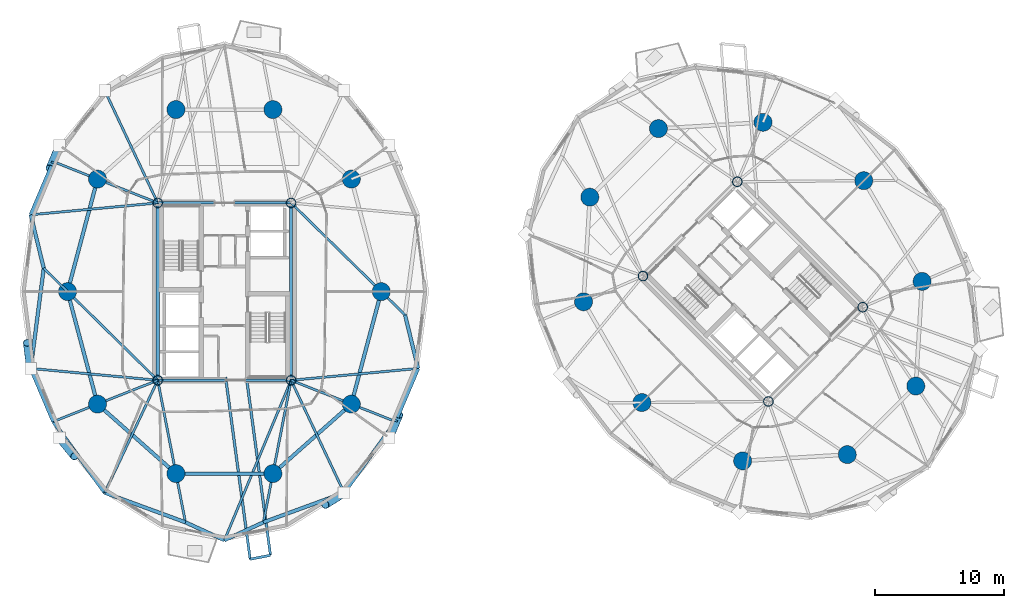
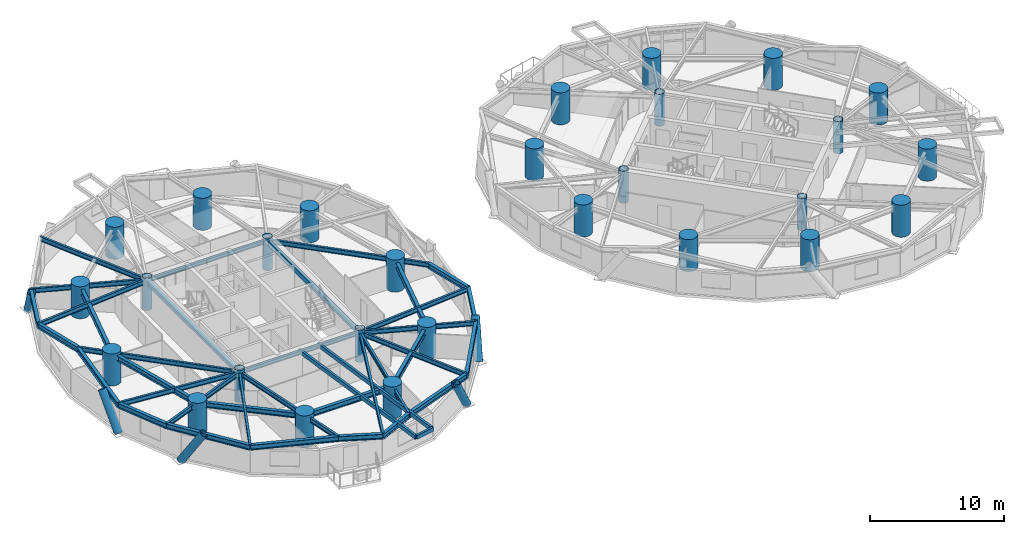
# One storey, part 1 of 18: 40 beams, 28 columns, 5 members.
"""IFC4 building model written with IfcOpenShell, lengths in metres."""

from ifc_helpers import new_model, si_unit, direction, frame, origin, origin_2d, place, context, subcontext, project, spatial, hollow_rectangle, circle, hollow_circle, i_section, extrude, material, material_profile, profile_set, type_object, element, save


model = new_model("IFC4")

# Units and contexts
model_context = context("Model", 3, precision=1e-05, world=origin(), true_north=direction((0.0, 1.0)))
body_context = subcontext(model_context, "Body", "Model", "MODEL_VIEW")
ifc_project = project(units=[si_unit("LENGTHUNIT", "METRE"), si_unit("AREAUNIT", "SQUARE_METRE"), si_unit("VOLUMEUNIT", "CUBIC_METRE"), si_unit("PLANEANGLEUNIT", "RADIAN"), si_unit("MASSUNIT", "GRAM", prefix="KILO")], contexts=[model_context])

# Site, building, storey
site_placement = place(None, origin())
site = spatial("IfcSite", under=ifc_project, at=site_placement, CompositionType="ELEMENT")
building_placement = place(site_placement, origin())
building = spatial("IfcBuilding", under=site, at=building_placement, Name="Cununo Teusaquillo Station Towers", CompositionType="ELEMENT")
storey_placement = place(building_placement, frame((0.0, 0.0, 102.159912109375)))
storey = spatial("IfcBuildingStorey", under=building, at=storey_placement, Name="L32", CompositionType="ELEMENT", Elevation=102.159912109375)

# Columns
ifc_material_1 = material(Name="Steel EN 10025-2 S355J2", Category="steel")
ifc_material_profile_1 = material_profile(ifc_material_1, hollow_circle(Radius=0.3798828125, WallThickness=0.031982421875, at=origin_2d()), Name="CHS 760x32")
ifc_profile_set_1 = profile_set([ifc_material_profile_1], Name="Steel EN 10025-2 S355J2")
column_type_1 = type_object("IfcColumnType", Name="COL-CORE-Z2", PredefinedType="COLUMN", material=ifc_profile_set_1)
for number, where, z_axis, x_axis, name in (
    (1, (11.324951171875, 17.6201171875, 0.0), (0.0, 0.0, 1.0), (1.0, 0.0, 0.0), "L32 Tower A Core Column 1"),
    (2, (11.324951171875, 31.3798828125, 0.0), (0.0, 0.0, 1.0), (1.0, 0.0, 0.0), "L32 Tower A Core Column 2"),
    (3, (21.675048828125, 17.6201171875, 0.0), (0.0, 0.0, 1.0), (1.0, 0.0, 0.0), "L32 Tower A Core Column 3"),
    (4, (21.675048828125, 31.3798828125, 0.0), (0.0, 0.0, 1.0), (1.0, 0.0, 0.0), "L32 Tower A Core Column 4"),
    (5, (58.70556640625, 15.975830078125, 0.0), (0.0, 0.0, 1.0), (0.707106781187, 0.707106781187, 0.0), "L32 Tower B Core Column 1"),
    (6, (48.975830078125, 25.70556640625, 0.0), (0.0, 0.0, 1.0), (0.707106781187, 0.707106781187, 0.0), "L32 Tower B Core Column 2"),
    (7, (66.024169921875, 23.29443359375, 0.0), (0.0, 0.0, 1.0), (0.707106781187, 0.707106781187, 0.0), "L32 Tower B Core Column 3"),
    (8, (56.29443359375, 33.024169921875, 0.0), (0.0, 0.0, 1.0), (0.707106781187, 0.707106781187, 0.0), "L32 Tower B Core Column 4"),
):
    element("IfcColumn", number, at=place(storey_placement, frame(where, z_axis=z_axis, x_axis=x_axis)), inside=storey, type_object=column_type_1, Name=name, PredefinedType="COLUMN", context=body_context, shape_type="SweptSolid", body=[
        extrude(hollow_circle(Radius=0.3798828125, WallThickness=0.031982421875, at=origin_2d()), origin(), (0.0, 0.0, 1.0), 2.91015625),
    ])
ifc_material_2 = material(Name="Concrete C60/75", Category="concrete")
ifc_material_profile_2 = material_profile(ifc_material_2, circle(Radius=0.699951171875, at=origin_2d()), Name="RC-CIRC-1400")
ifc_profile_set_2 = profile_set([ifc_material_profile_2], Name="Concrete C60/75")
column_type_2 = type_object("IfcColumnType", Name="COL-MEGA-Z2", PredefinedType="USERDEFINED", material=ifc_profile_set_2)
for number, where, z_axis, x_axis, name in (
    (9, (28.672119140625, 24.5, 0.0), (0.0, 0.0, 1.0), (1.0, 0.0, 0.0), "L32 Tower A Perimeter Column V00"),
    (10, (26.347412109375, 33.228515625, 0.0), (0.0, 0.0, 1.0), (1.0, 0.0, 0.0), "L32 Tower A Perimeter Column V02"),
    (11, (20.261474609375, 38.623291015625, 0.0), (0.0, 0.0, 1.0), (1.0, 0.0, 0.0), "L32 Tower A Perimeter Column V04"),
    (12, (12.738525390625, 38.623291015625, 0.0), (0.0, 0.0, 1.0), (1.0, 0.0, 0.0), "L32 Tower A Perimeter Column V06"),
    (13, (6.652587890625, 33.228515625, 0.0), (0.0, 0.0, 1.0), (1.0, 0.0, 0.0), "L32 Tower A Perimeter Column V08"),
    (14, (4.327880859375, 24.5, 0.0), (0.0, 0.0, 1.0), (1.0, 0.0, 0.0), "L32 Tower A Perimeter Column V10"),
    (15, (6.652587890625, 15.771484375, 0.0), (0.0, 0.0, 1.0), (1.0, 0.0, 0.0), "L32 Tower A Perimeter Column V12"),
    (16, (12.738525390625, 10.376708984375, 0.0), (0.0, 0.0, 1.0), (1.0, 0.0, 0.0), "L32 Tower A Perimeter Column V14"),
    (17, (20.261474609375, 10.376708984375, 0.0), (0.0, 0.0, 1.0), (1.0, 0.0, 0.0), "L32 Tower A Perimeter Column V16"),
    (18, (26.347412109375, 15.771484375, 0.0), (0.0, 0.0, 1.0), (1.0, 0.0, 0.0), "L32 Tower A Perimeter Column V18"),
    (19, (66.10693359375, 33.10693359375, 0.0), (0.0, 0.0, 1.0), (1.0, 0.0, 0.0), "L32 Tower B Perimeter Column V00"),
    (20, (58.291015625, 37.63525390625, 0.0), (0.0, 0.0, 1.0), (1.0, 0.0, 0.0), "L32 Tower B Perimeter Column V02"),
    (21, (50.173095703125, 37.146240234375, 0.0), (0.0, 0.0, 1.0), (1.0, 0.0, 0.0), "L32 Tower B Perimeter Column V04"),
    (22, (44.853759765625, 31.826904296875, 0.0), (0.0, 0.0, 1.0), (1.0, 0.0, 0.0), "L32 Tower B Perimeter Column V06"),
    (23, (44.36474609375, 23.708984375, 0.0), (0.0, 0.0, 1.0), (1.0, 0.0, 0.0), "L32 Tower B Perimeter Column V08"),
    (24, (48.89306640625, 15.89306640625, 0.0), (0.0, 0.0, 1.0), (1.0, 0.0, 0.0), "L32 Tower B Perimeter Column V10"),
    (25, (56.708984375, 11.36474609375, 0.0), (0.0, 0.0, 1.0), (1.0, 0.0, 0.0), "L32 Tower B Perimeter Column V12"),
    (26, (64.826904296875, 11.853759765625, 0.0), (0.0, 0.0, 1.0), (1.0, 0.0, 0.0), "L32 Tower B Perimeter Column V14"),
    (27, (70.146240234375, 17.173095703125, 0.0), (0.0, 0.0, 1.0), (1.0, 0.0, 0.0), "L32 Tower B Perimeter Column V16"),
    (28, (70.63525390625, 25.291015625, 0.0), (0.0, 0.0, 1.0), (1.0, 0.0, 0.0), "L32 Tower B Perimeter Column V18"),
):
    element("IfcColumn", number, at=place(storey_placement, frame(where, z_axis=z_axis, x_axis=x_axis)), inside=storey, type_object=column_type_2, Name=name, ObjectType="MEGA COLUMN", PredefinedType="USERDEFINED", context=body_context, shape_type="SweptSolid", body=[
        extrude(circle(Radius=0.699951171875, at=origin_2d()), origin(), (0.0, 0.0, 1.0), 2.91015625),
    ])

# Beams
ifc_material_3 = material(Name="Steel EN 10025-2 S355J2", Category="steel")
ifc_material_profile_3 = material_profile(ifc_material_3, hollow_rectangle(XDim=0.199951171875, YDim=0.35009765625, WallThickness=0.013916015625, at=origin_2d()), Name="RHS 350x200x14")
ifc_profile_set_3 = profile_set([ifc_material_profile_3], Name="Steel EN 10025-2 S355J2")
beam_type_1 = type_object("IfcBeamType", Name="BM-BAL-CANT", PredefinedType="BEAM", material=ifc_profile_set_3)
beam_1_placement = place(storey_placement, frame((16.59130859375, 17.85009765625, 2.4951171875), z_axis=(0.133936551357, -0.990989909237, 0.0), x_axis=(0.990989909237, 0.133936551357, 0.0)))
element("IfcBeam", 29, at=beam_1_placement, inside=storey, type_object=beam_type_1, Name="L32 Tower A Balcony Cantilever Bracket 2A", PredefinedType="BEAM", context=body_context, shape_type="SweptSolid", body=[
    extrude(hollow_rectangle(XDim=0.199951171875, YDim=0.35009765625, WallThickness=0.013916015625, at=origin_2d()), origin(), (0.0, 0.0, 1.0), 14.24169921875),
])
beam_2_placement = place(storey_placement, frame((18.206298828125, 17.85009765625, 2.4951171875), z_axis=(0.133960678738, -0.990986648019, 0.0), x_axis=(0.990986648019, 0.133960678738, 0.0)))
element("IfcBeam", 30, at=beam_2_placement, inside=storey, type_object=beam_type_1, Name="L32 Tower A Balcony Cantilever Bracket 2B", PredefinedType="BEAM", context=body_context, shape_type="SweptSolid", body=[
    extrude(hollow_rectangle(XDim=0.199951171875, YDim=0.35009765625, WallThickness=0.013916015625, at=origin_2d()), origin(), (0.0, 0.0, 1.0), 13.9345703125),
])
ifc_material_4 = material(Name="Steel EN 10025-2 S355J2", Category="steel")
ifc_material_profile_4 = material_profile(ifc_material_4, hollow_rectangle(XDim=0.25, YDim=0.449951171875, WallThickness=0.01611328125, at=origin_2d()), Name="RHS 450x250x16")
ifc_profile_set_4 = profile_set([ifc_material_profile_4], Name="Steel EN 10025-2 S355J2")
beam_type_2 = type_object("IfcBeamType", Name="BM-COUP-1", PredefinedType="USERDEFINED", material=ifc_profile_set_4)
for number, where, z_axis, x_axis, name in (
    (31, (11.324951171875, 17.6201171875, 2.445068359375), (0.0, 1.0, 0.0), (-1.0, 0.0, 0.0), "L32 Tower A Core Beam 1"),
    (32, (21.675048828125, 17.6201171875, 2.445068359375), (0.0, 1.0, 0.0), (-1.0, 0.0, 0.0), "L32 Tower A Core Beam 2"),
):
    element("IfcBeam", number, at=place(storey_placement, frame(where, z_axis=z_axis, x_axis=x_axis)), inside=storey, type_object=beam_type_2, Name=name, ObjectType="COUPLING BEAM", PredefinedType="USERDEFINED", context=body_context, shape_type="SweptSolid", body=[
        extrude(hollow_rectangle(XDim=0.25, YDim=0.449951171875, WallThickness=0.01611328125, at=origin_2d()), origin(), (0.0, 0.0, 1.0), 13.759765625),
    ])
ifc_material_5 = material(Name="Steel ASTM A572 Grade 50", Category="steel")
ifc_material_profile_5 = material_profile(ifc_material_5, i_section(OverallWidth=0.180908203125, OverallDepth=0.4169921875, WebThickness=0.010986328125, FlangeThickness=0.018310546875, FilletRadius=0.012939453125, at=origin_2d()), Name="W16X57")
ifc_profile_set_5 = profile_set([ifc_material_profile_5], Name="Steel ASTM A572 Grade 50")
beam_type_3 = type_object("IfcBeamType", Name="BM-JOIST-1", PredefinedType="JOIST", material=ifc_profile_set_5)
beam_3_placement = place(storey_placement, frame((11.324951171875, 31.3798828125, 2.461669921875), z_axis=(-0.426319838016, 0.904572493344, 0.0), x_axis=(-0.904572493344, -0.426319838016, 0.0)))
element("IfcBeam", 33, at=beam_3_placement, inside=storey, type_object=beam_type_3, Name="L32 Tower A Radial Spandrel Joist V07", PredefinedType="JOIST", context=body_context, shape_type="SweptSolid", body=[
    extrude(i_section(OverallWidth=0.180908203125, OverallDepth=0.4169921875, WebThickness=0.010986328125, FlangeThickness=0.018310546875, FilletRadius=0.012939453125, at=origin_2d()), origin(), (0.0, 0.0, 1.0), 9.646728515625),
])
for number, where, z_axis, x_axis, name in (
    (34, (11.324951171875, 31.3798828125, 2.461669921875), (-0.995678537907, -0.09286683558, 0.0), (0.09286683558, -0.995678537907, 0.0), "L32 Tower A Radial Spandrel Joist V09"),
    (35, (11.324951171875, 17.6201171875, 2.461669921875), (-0.995678537907, 0.09286683558, 0.0), (-0.09286683558, -0.995678537907, 0.0), "L32 Tower A Radial Spandrel Joist V11"),
):
    element("IfcBeam", number, at=place(storey_placement, frame(where, z_axis=z_axis, x_axis=x_axis)), inside=storey, type_object=beam_type_3, Name=name, PredefinedType="JOIST", context=body_context, shape_type="SweptSolid", body=[
        extrude(i_section(OverallWidth=0.180908203125, OverallDepth=0.4169921875, WebThickness=0.010986328125, FlangeThickness=0.018310546875, FilletRadius=0.012939453125, at=origin_2d()), origin(), (0.0, 0.0, 1.0), 9.895263671875),
    ])
beam_4_placement = place(storey_placement, frame((11.324951171875, 17.6201171875, 2.461669921875), z_axis=(-0.426319838016, -0.904572493344, 0.0), x_axis=(0.904572493344, -0.426319838016, 0.0)))
element("IfcBeam", 36, at=beam_4_placement, inside=storey, type_object=beam_type_3, Name="L32 Tower A Radial Spandrel Joist V13", PredefinedType="JOIST", context=body_context, shape_type="SweptSolid", body=[
    extrude(i_section(OverallWidth=0.180908203125, OverallDepth=0.4169921875, WebThickness=0.010986328125, FlangeThickness=0.018310546875, FilletRadius=0.012939453125, at=origin_2d()), origin(), (0.0, 0.0, 1.0), 9.646728515625),
])
beam_5_placement = place(storey_placement, frame((21.675048828125, 17.6201171875, 2.461669921875), z_axis=(-0.38487837995, -0.922967297713, 0.0), x_axis=(0.922967297713, -0.38487837995, 0.0)))
element("IfcBeam", 37, at=beam_5_placement, inside=storey, type_object=beam_type_3, Name="L32 Tower A Radial Spandrel Joist V15", PredefinedType="JOIST", context=body_context, shape_type="SweptSolid", body=[
    extrude(i_section(OverallWidth=0.180908203125, OverallDepth=0.4169921875, WebThickness=0.010986328125, FlangeThickness=0.018310546875, FilletRadius=0.012939453125, at=origin_2d()), origin(), (0.0, 0.0, 1.0), 13.446044921875),
])
beam_6_placement = place(storey_placement, frame((21.675048828125, 17.6201171875, 2.461669921875), z_axis=(0.426319838016, -0.904572493344, 0.0), x_axis=(0.904572493344, 0.426319838016, 0.0)))
element("IfcBeam", 38, at=beam_6_placement, inside=storey, type_object=beam_type_3, Name="L32 Tower A Radial Spandrel Joist V17", PredefinedType="JOIST", context=body_context, shape_type="SweptSolid", body=[
    extrude(i_section(OverallWidth=0.180908203125, OverallDepth=0.4169921875, WebThickness=0.010986328125, FlangeThickness=0.018310546875, FilletRadius=0.012939453125, at=origin_2d()), origin(), (0.0, 0.0, 1.0), 9.646728515625),
])
beam_7_placement = place(storey_placement, frame((21.675048828125, 17.6201171875, 2.461669921875), z_axis=(0.995678537907, 0.09286683558, 0.0), x_axis=(-0.09286683558, 0.995678537907, 0.0)))
element("IfcBeam", 39, at=beam_7_placement, inside=storey, type_object=beam_type_3, Name="L32 Tower A Radial Spandrel Joist V19", PredefinedType="JOIST", context=body_context, shape_type="SweptSolid", body=[
    extrude(i_section(OverallWidth=0.180908203125, OverallDepth=0.4169921875, WebThickness=0.010986328125, FlangeThickness=0.018310546875, FilletRadius=0.012939453125, at=origin_2d()), origin(), (0.0, 0.0, 1.0), 9.895263671875),
])
ifc_material_6 = material(Name="Steel ASTM A572 Grade 50", Category="steel")
ifc_material_profile_6 = material_profile(ifc_material_6, i_section(OverallWidth=0.2041015625, OverallDepth=0.35009765625, WebThickness=0.008544921875, FlangeThickness=0.01513671875, FilletRadius=0.011962890625, at=origin_2d()), Name="W14X48")
ifc_profile_set_6 = profile_set([ifc_material_profile_6], Name="Steel ASTM A572 Grade 50")
beam_type_4 = type_object("IfcBeamType", Name="BM-LINTEL-1", PredefinedType="LINTEL", material=ifc_profile_set_6)
for number, where, z_axis, x_axis, name in (
    (40, (11.324951171875, 17.6201171875, 2.4951171875), (1.0, 0.0, 0.0), (0.0, 1.0, 0.0), "L32 Tower A Core Beam 3"),
    (41, (11.324951171875, 31.3798828125, 2.4951171875), (1.0, 0.0, 0.0), (0.0, 1.0, 0.0), "L32 Tower A Core Beam 4"),
):
    element("IfcBeam", number, at=place(storey_placement, frame(where, z_axis=z_axis, x_axis=x_axis)), inside=storey, type_object=beam_type_4, Name=name, PredefinedType="LINTEL", context=body_context, shape_type="SweptSolid", body=[
        extrude(i_section(OverallWidth=0.2041015625, OverallDepth=0.35009765625, WebThickness=0.008544921875, FlangeThickness=0.01513671875, FilletRadius=0.011962890625, at=origin_2d()), origin(), (0.0, 0.0, 1.0), 10.35009765625),
    ])
ifc_material_7 = material(Name="Steel ASTM A572 Grade 50", Category="steel")
ifc_material_profile_7 = material_profile(ifc_material_7, i_section(OverallWidth=0.180908203125, OverallDepth=0.4169921875, WebThickness=0.010986328125, FlangeThickness=0.018310546875, FilletRadius=0.012939453125, at=origin_2d()), Name="W16X57")
ifc_profile_set_7 = profile_set([ifc_material_profile_7], Name="Steel ASTM A572 Grade 50")
beam_type_5 = type_object("IfcBeamType", Name="BM-RAD-G2", PredefinedType="BEAM", material=ifc_profile_set_7)
beam_8_placement = place(storey_placement, frame((21.675048828125, 31.3798828125, 2.461669921875), z_axis=(0.713047137857, -0.701116095375, 0.0), x_axis=(0.701116095375, 0.713047137857, 0.0)))
element("IfcBeam", 42, at=beam_8_placement, inside=storey, type_object=beam_type_5, Name="L32 Tower A Continuous Overhanging Radial Girder 01", PredefinedType="BEAM", context=body_context, shape_type="SweptSolid", body=[
    extrude(i_section(OverallWidth=0.180908203125, OverallDepth=0.4169921875, WebThickness=0.010986328125, FlangeThickness=0.018310546875, FilletRadius=0.012939453125, at=origin_2d()), origin(), (0.0, 0.0, 1.0), 12.400390625),
])
beam_9_placement = place(storey_placement, frame((11.324951171875, 31.3798828125, 2.461669921875), z_axis=(-0.929863123823, 0.367905654963, 0.0), x_axis=(-0.367905654963, -0.929863123823, 0.0)))
element("IfcBeam", 43, at=beam_9_placement, inside=storey, type_object=beam_type_5, Name="L32 Tower A Continuous Overhanging Radial Girder 05", PredefinedType="BEAM", context=body_context, shape_type="SweptSolid", body=[
    extrude(i_section(OverallWidth=0.180908203125, OverallDepth=0.4169921875, WebThickness=0.010986328125, FlangeThickness=0.018310546875, FilletRadius=0.012939453125, at=origin_2d()), origin(), (0.0, 0.0, 1.0), 8.715087890625),
])
beam_10_placement = place(storey_placement, frame((11.324951171875, 17.6201171875, 2.461669921875), z_axis=(-0.713052701438, 0.701110437073, 0.0), x_axis=(-0.701110437073, -0.713052701438, 0.0)))
element("IfcBeam", 44, at=beam_10_placement, inside=storey, type_object=beam_type_5, Name="L32 Tower A Radial Girder 06A", PredefinedType="BEAM", context=body_context, shape_type="SweptSolid", body=[
    extrude(i_section(OverallWidth=0.180908203125, OverallDepth=0.4169921875, WebThickness=0.010986328125, FlangeThickness=0.018310546875, FilletRadius=0.012939453125, at=origin_2d()), origin(), (0.0, 0.0, 1.0), 9.812744140625),
])
beam_11_placement = place(storey_placement, frame((4.327880859375, 24.5, 2.461669921875), z_axis=(-0.7130260383, 0.701137553342, 0.0), x_axis=(-0.701137553342, -0.7130260383, 0.0)))
element("IfcBeam", 45, at=beam_11_placement, inside=storey, type_object=beam_type_5, Name="L32 Tower A Perimeter Overhang Girder 06B", PredefinedType="BEAM", context=body_context, shape_type="SweptSolid", body=[
    extrude(i_section(OverallWidth=0.180908203125, OverallDepth=0.4169921875, WebThickness=0.010986328125, FlangeThickness=0.018310546875, FilletRadius=0.012939453125, at=origin_2d()), origin(), (0.0, 0.0, 1.0), 2.58740234375),
])
beam_12_placement = place(storey_placement, frame((11.324951171875, 17.6201171875, 2.461669921875), z_axis=(-0.929863123823, -0.367905654963, 0.0), x_axis=(0.367905654963, -0.929863123823, 0.0)))
element("IfcBeam", 46, at=beam_12_placement, inside=storey, type_object=beam_type_5, Name="L32 Tower A Continuous Overhanging Radial Girder 07", PredefinedType="BEAM", context=body_context, shape_type="SweptSolid", body=[
    extrude(i_section(OverallWidth=0.180908203125, OverallDepth=0.4169921875, WebThickness=0.010986328125, FlangeThickness=0.018310546875, FilletRadius=0.012939453125, at=origin_2d()), origin(), (0.0, 0.0, 1.0), 8.715087890625),
])
for number, where, z_axis, x_axis, name in (
    (47, (11.324951171875, 17.6201171875, 2.461669921875), (0.191552755713, -0.981482318628, 0.0), (0.981482318628, 0.191552755713, 0.0), "L32 Tower A Continuous Overhanging Radial Girder 08"),
    (48, (21.675048828125, 17.6201171875, 2.461669921875), (-0.191552755713, -0.981482318628, 0.0), (0.981482318628, -0.191552755713, 0.0), "L32 Tower A Continuous Overhanging Radial Girder 09"),
):
    element("IfcBeam", number, at=place(storey_placement, frame(where, z_axis=z_axis, x_axis=x_axis)), inside=storey, type_object=beam_type_5, Name=name, PredefinedType="BEAM", context=body_context, shape_type="SweptSolid", body=[
        extrude(i_section(OverallWidth=0.180908203125, OverallDepth=0.4169921875, WebThickness=0.010986328125, FlangeThickness=0.018310546875, FilletRadius=0.012939453125, at=origin_2d()), origin(), (0.0, 0.0, 1.0), 11.22998046875),
    ])
beam_13_placement = place(storey_placement, frame((21.675048828125, 17.6201171875, 2.461669921875), z_axis=(0.929863123823, -0.367905654963, 0.0), x_axis=(0.367905654963, 0.929863123823, 0.0)))
element("IfcBeam", 49, at=beam_13_placement, inside=storey, type_object=beam_type_5, Name="L32 Tower A Continuous Overhanging Radial Girder 10", PredefinedType="BEAM", context=body_context, shape_type="SweptSolid", body=[
    extrude(i_section(OverallWidth=0.180908203125, OverallDepth=0.4169921875, WebThickness=0.010986328125, FlangeThickness=0.018310546875, FilletRadius=0.012939453125, at=origin_2d()), origin(), (0.0, 0.0, 1.0), 8.715087890625),
])
ifc_material_8 = material(Name="Steel ASTM A572 Grade 50", Category="steel")
ifc_material_profile_8 = material_profile(ifc_material_8, i_section(OverallWidth=0.280029296875, OverallDepth=0.462890625, WebThickness=0.0107421875, FlangeThickness=0.017333984375, FilletRadius=0.013916015625, at=origin_2d()), Name="W18X76")
ifc_profile_set_8 = profile_set([ifc_material_profile_8], Name="Steel ASTM A572 Grade 50")
beam_type_6 = type_object("IfcBeamType", Name="BM-RING-Z2", PredefinedType="SPANDREL", material=ifc_profile_set_8)
for number, where, z_axis, x_axis, name in (
    (50, (6.652587890625, 33.228515625, 2.4384765625), (-0.257363196347, -0.966314744359, 0.0), (0.966314744359, -0.257363196347, 0.0), "L32 Tower A Structural Column Ring Girder 05"),
    (51, (4.327880859375, 24.5, 2.4384765625), (0.257363196347, -0.966314744359, 0.0), (0.966314744359, 0.257363196347, 0.0), "L32 Tower A Structural Column Ring Girder 06"),
):
    element("IfcBeam", number, at=place(storey_placement, frame(where, z_axis=z_axis, x_axis=x_axis)), inside=storey, type_object=beam_type_6, Name=name, PredefinedType="SPANDREL", context=body_context, shape_type="SweptSolid", body=[
        extrude(i_section(OverallWidth=0.280029296875, OverallDepth=0.462890625, WebThickness=0.0107421875, FlangeThickness=0.017333984375, FilletRadius=0.013916015625, at=origin_2d()), origin(), (0.0, 0.0, 1.0), 9.03271484375),
    ])
beam_14_placement = place(storey_placement, frame((6.652587890625, 15.771484375, 2.4384765625), z_axis=(0.74832120039, -0.66333655187, 0.0), x_axis=(0.66333655187, 0.74832120039, 0.0)))
element("IfcBeam", 52, at=beam_14_placement, inside=storey, type_object=beam_type_6, Name="L32 Tower A Structural Column Ring Girder 07", PredefinedType="SPANDREL", context=body_context, shape_type="SweptSolid", body=[
    extrude(i_section(OverallWidth=0.280029296875, OverallDepth=0.462890625, WebThickness=0.0107421875, FlangeThickness=0.017333984375, FilletRadius=0.013916015625, at=origin_2d()), origin(), (0.0, 0.0, 1.0), 8.1328125),
])
beam_15_placement = place(storey_placement, frame((12.738525390625, 10.376708984375, 2.4384765625), z_axis=(1.0, 0.0, 0.0), x_axis=(0.0, 1.0, 0.0)))
element("IfcBeam", 53, at=beam_15_placement, inside=storey, type_object=beam_type_6, Name="L32 Tower A Structural Column Ring Girder 08", PredefinedType="SPANDREL", context=body_context, shape_type="SweptSolid", body=[
    extrude(i_section(OverallWidth=0.280029296875, OverallDepth=0.462890625, WebThickness=0.0107421875, FlangeThickness=0.017333984375, FilletRadius=0.013916015625, at=origin_2d()), origin(), (0.0, 0.0, 1.0), 7.52294921875),
])
beam_16_placement = place(storey_placement, frame((20.261474609375, 10.376708984375, 2.4384765625), z_axis=(0.74832120039, 0.66333655187, 0.0), x_axis=(-0.66333655187, 0.74832120039, 0.0)))
element("IfcBeam", 54, at=beam_16_placement, inside=storey, type_object=beam_type_6, Name="L32 Tower A Structural Column Ring Girder 09", PredefinedType="SPANDREL", context=body_context, shape_type="SweptSolid", body=[
    extrude(i_section(OverallWidth=0.280029296875, OverallDepth=0.462890625, WebThickness=0.0107421875, FlangeThickness=0.017333984375, FilletRadius=0.013916015625, at=origin_2d()), origin(), (0.0, 0.0, 1.0), 8.1328125),
])
beam_17_placement = place(storey_placement, frame((26.347412109375, 15.771484375, 2.4384765625), z_axis=(0.257363196347, 0.966314744359, 0.0), x_axis=(-0.966314744359, 0.257363196347, 0.0)))
element("IfcBeam", 55, at=beam_17_placement, inside=storey, type_object=beam_type_6, Name="L32 Tower A Structural Column Ring Girder 10", PredefinedType="SPANDREL", context=body_context, shape_type="SweptSolid", body=[
    extrude(i_section(OverallWidth=0.280029296875, OverallDepth=0.462890625, WebThickness=0.0107421875, FlangeThickness=0.017333984375, FilletRadius=0.013916015625, at=origin_2d()), origin(), (0.0, 0.0, 1.0), 9.03271484375),
])
beam_18_placement = place(storey_placement, frame((3.22119140625, 34.586181640625, 2.4384765625), z_axis=(-0.390299356049, -0.920688010494, 0.0), x_axis=(0.920688010494, -0.390299356049, 0.0)))
element("IfcBeam", 56, at=beam_18_placement, inside=storey, type_object=beam_type_6, Name="L32 Tower A Spandrel Ring Beam 09", PredefinedType="SPANDREL", context=body_context, shape_type="SweptSolid", body=[
    extrude(i_section(OverallWidth=0.280029296875, OverallDepth=0.462890625, WebThickness=0.0107421875, FlangeThickness=0.017333984375, FilletRadius=0.013916015625, at=origin_2d()), origin(), (0.0, 0.0, 1.0), 4.480712890625),
])
beam_19_placement = place(storey_placement, frame((1.472412109375, 30.4609375, 2.4384765625), z_axis=(0.236757334703, -0.971568816124, 0.0), x_axis=(0.971568816124, 0.236757334703, 0.0)))
element("IfcBeam", 57, at=beam_19_placement, inside=storey, type_object=beam_type_6, Name="L32 Tower A Spandrel Ring Beam 10", PredefinedType="SPANDREL", context=body_context, shape_type="SweptSolid", body=[
    extrude(i_section(OverallWidth=0.280029296875, OverallDepth=0.462890625, WebThickness=0.0107421875, FlangeThickness=0.017333984375, FilletRadius=0.013916015625, at=origin_2d()), origin(), (0.0, 0.0, 1.0), 4.26806640625),
])
beam_20_placement = place(storey_placement, frame((2.48291015625, 26.314208984375, 2.4384765625), z_axis=(-0.12888124113, -0.991660035337, 0.0), x_axis=(0.991660035337, -0.12888124113, 0.0)))
element("IfcBeam", 58, at=beam_20_placement, inside=storey, type_object=beam_type_6, Name="L32 Tower A Spandrel Ring Beam 11", PredefinedType="SPANDREL", context=body_context, shape_type="SweptSolid", body=[
    extrude(i_section(OverallWidth=0.280029296875, OverallDepth=0.462890625, WebThickness=0.0107421875, FlangeThickness=0.017333984375, FilletRadius=0.013916015625, at=origin_2d()), origin(), (0.0, 0.0, 1.0), 7.840576171875),
])
beam_21_placement = place(storey_placement, frame((1.472412109375, 18.5390625, 2.4384765625), z_axis=(0.390299356049, -0.920688010494, 0.0), x_axis=(0.920688010494, 0.390299356049, 0.0)))
element("IfcBeam", 59, at=beam_21_placement, inside=storey, type_object=beam_type_6, Name="L32 Tower A Spandrel Ring Beam 12", PredefinedType="SPANDREL", context=body_context, shape_type="SweptSolid", body=[
    extrude(i_section(OverallWidth=0.280029296875, OverallDepth=0.462890625, WebThickness=0.0107421875, FlangeThickness=0.017333984375, FilletRadius=0.013916015625, at=origin_2d()), origin(), (0.0, 0.0, 1.0), 4.480712890625),
])
beam_22_placement = place(storey_placement, frame((3.22119140625, 14.413818359375, 2.4384765625), z_axis=(0.58594455724, -0.810351143543, 0.0), x_axis=(0.810351143543, 0.58594455724, 0.0)))
element("IfcBeam", 60, at=beam_22_placement, inside=storey, type_object=beam_type_6, Name="L32 Tower A Spandrel Ring Beam 13", PredefinedType="SPANDREL", context=body_context, shape_type="SweptSolid", body=[
    extrude(i_section(OverallWidth=0.280029296875, OverallDepth=0.462890625, WebThickness=0.0107421875, FlangeThickness=0.017333984375, FilletRadius=0.013916015625, at=origin_2d()), origin(), (0.0, 0.0, 1.0), 6.8115234375),
])
beam_23_placement = place(storey_placement, frame((7.21240234375, 8.89404296875, 2.4384765625), z_axis=(0.938914161016, -0.34415141761, 0.0), x_axis=(0.34415141761, 0.938914161016, 0.0)))
element("IfcBeam", 61, at=beam_23_placement, inside=storey, type_object=beam_type_6, Name="L32 Tower A Spandrel Ring Beam 14", PredefinedType="SPANDREL", context=body_context, shape_type="SweptSolid", body=[
    extrude(i_section(OverallWidth=0.280029296875, OverallDepth=0.462890625, WebThickness=0.0107421875, FlangeThickness=0.017333984375, FilletRadius=0.013916015625, at=origin_2d()), origin(), (0.0, 0.0, 1.0), 6.671142578125),
])
for number, where, z_axis, x_axis, name in (
    (62, (13.47607421875, 6.59814453125, 2.4384765625), (0.908812215281, -0.417205413862, 0.0), (0.417205413862, 0.908812215281, 0.0), "L32 Tower A Spandrel Ring Beam 15"),
    (63, (16.5, 5.2099609375, 2.4384765625), (0.908812215281, 0.417205413862, 0.0), (-0.417205413862, 0.908812215281, 0.0), "L32 Tower A Spandrel Ring Beam 16"),
):
    element("IfcBeam", number, at=place(storey_placement, frame(where, z_axis=z_axis, x_axis=x_axis)), inside=storey, type_object=beam_type_6, Name=name, PredefinedType="SPANDREL", context=body_context, shape_type="SweptSolid", body=[
        extrude(i_section(OverallWidth=0.280029296875, OverallDepth=0.462890625, WebThickness=0.0107421875, FlangeThickness=0.017333984375, FilletRadius=0.013916015625, at=origin_2d()), origin(), (0.0, 0.0, 1.0), 3.327392578125),
    ])
beam_24_placement = place(storey_placement, frame((19.52392578125, 6.59814453125, 2.4384765625), z_axis=(0.938914161016, 0.34415141761, 0.0), x_axis=(-0.34415141761, 0.938914161016, 0.0)))
element("IfcBeam", 64, at=beam_24_placement, inside=storey, type_object=beam_type_6, Name="L32 Tower A Spandrel Ring Beam 17", PredefinedType="SPANDREL", context=body_context, shape_type="SweptSolid", body=[
    extrude(i_section(OverallWidth=0.280029296875, OverallDepth=0.462890625, WebThickness=0.0107421875, FlangeThickness=0.017333984375, FilletRadius=0.013916015625, at=origin_2d()), origin(), (0.0, 0.0, 1.0), 6.671142578125),
])
beam_25_placement = place(storey_placement, frame((25.78759765625, 8.89404296875, 2.4384765625), z_axis=(0.58594455724, 0.810351143543, 0.0), x_axis=(-0.810351143543, 0.58594455724, 0.0)))
element("IfcBeam", 65, at=beam_25_placement, inside=storey, type_object=beam_type_6, Name="L32 Tower A Spandrel Ring Beam 18", PredefinedType="SPANDREL", context=body_context, shape_type="SweptSolid", body=[
    extrude(i_section(OverallWidth=0.280029296875, OverallDepth=0.462890625, WebThickness=0.0107421875, FlangeThickness=0.017333984375, FilletRadius=0.013916015625, at=origin_2d()), origin(), (0.0, 0.0, 1.0), 6.8115234375),
])
beam_26_placement = place(storey_placement, frame((29.77880859375, 14.413818359375, 2.4384765625), z_axis=(0.390299356049, 0.920688010494, 0.0), x_axis=(-0.920688010494, 0.390299356049, 0.0)))
element("IfcBeam", 66, at=beam_26_placement, inside=storey, type_object=beam_type_6, Name="L32 Tower A Spandrel Ring Beam 19", PredefinedType="SPANDREL", context=body_context, shape_type="SweptSolid", body=[
    extrude(i_section(OverallWidth=0.280029296875, OverallDepth=0.462890625, WebThickness=0.0107421875, FlangeThickness=0.017333984375, FilletRadius=0.013916015625, at=origin_2d()), origin(), (0.0, 0.0, 1.0), 4.480712890625),
])
beam_27_placement = place(storey_placement, frame((31.527587890625, 18.5390625, 2.4384765625), z_axis=(-0.236757334703, 0.971568816124, 0.0), x_axis=(-0.971568816124, -0.236757334703, 0.0)))
element("IfcBeam", 67, at=beam_27_placement, inside=storey, type_object=beam_type_6, Name="L32 Tower A Spandrel Ring Beam 20", PredefinedType="SPANDREL", context=body_context, shape_type="SweptSolid", body=[
    extrude(i_section(OverallWidth=0.280029296875, OverallDepth=0.462890625, WebThickness=0.0107421875, FlangeThickness=0.017333984375, FilletRadius=0.013916015625, at=origin_2d()), origin(), (0.0, 0.0, 1.0), 4.26806640625),
])
ifc_material_9 = material(Name="Steel EN 10025-2 S355J2", Category="steel")
ifc_material_profile_9 = material_profile(ifc_material_9, hollow_rectangle(XDim=0.199951171875, YDim=0.35009765625, WallThickness=0.013916015625, at=origin_2d()), Name="RHS 350x200x14")
ifc_profile_set_9 = profile_set([ifc_material_profile_9], Name="Steel EN 10025-2 S355J2")
beam_type_7 = type_object("IfcBeamType", Name="BM-STAIR-TRIM", PredefinedType="BEAM", material=ifc_profile_set_9)
beam_28_placement = place(storey_placement, frame((18.498779296875, 3.73681640625, 2.525146484375), z_axis=(0.981836621572, 0.189728354603, 0.0), x_axis=(-0.189728354603, 0.981836621572, 0.0)))
element("IfcBeam", 68, at=beam_28_placement, inside=storey, type_object=beam_type_7, Name="L32 Tower A Balcony Edge Trimmer Beam 2", PredefinedType="BEAM", context=body_context, shape_type="SweptSolid", body=[
    extrude(hollow_rectangle(XDim=0.199951171875, YDim=0.35009765625, WallThickness=0.013916015625, at=origin_2d()), origin(), (0.0, 0.0, 1.0), 1.603271484375),
])

# Members
ifc_material_10 = material(Name="Steel EN 10025-2 S355J2", Category="steel")
ifc_material_profile_10 = material_profile(ifc_material_10, hollow_circle(Radius=0.330078125, WallThickness=0.02490234375, at=origin_2d()), Name="CHS 660x25")
ifc_profile_set_10 = profile_set([ifc_material_profile_10], Name="Steel EN 10025-2 S355J2")
member_type = type_object("IfcMemberType", Name="MBR-DIAG-Z2", PredefinedType="BRACE", material=ifc_profile_set_10)
member_1_placement = place(storey_placement, frame((3.716796875, 35.83837890625, -0.139892578125), z_axis=(-0.213880258627, -0.512335679883, 0.831725547334), x_axis=(0.922816406816, -0.385240028179, 0.0)))
element("IfcMember", 69, at=member_1_placement, inside=storey, type_object=member_type, Name="L32 Tower A Folded-Zigzag Diagrid Tube C08", PredefinedType="BRACE", context=body_context, shape_type="SweptSolid", body=[
    extrude(hollow_circle(Radius=0.330078125, WallThickness=0.02490234375, at=origin_2d()), origin(), (0.0, 0.0, 1.0), 3.49853515625),
])
member_2_placement = place(storey_placement, frame((1.472412109375, 18.5390625, -0.139892578125), z_axis=(-0.072971585914, 0.562420206205, 0.823625314874), x_axis=(-0.991687829619, -0.128667200894, 0.0)))
element("IfcMember", 70, at=member_2_placement, inside=storey, type_object=member_type, Name="L32 Tower A Folded-Zigzag Diagrid Tube C10", PredefinedType="BRACE", context=body_context, shape_type="SweptSolid", body=[
    extrude(hollow_circle(Radius=0.330078125, WallThickness=0.02490234375, at=origin_2d()), origin(), (0.0, 0.0, 1.0), 3.532958984375),
])
member_3_placement = place(storey_placement, frame((3.716796875, 13.16162109375, -0.139892578125), z_axis=(0.33845803995, -0.413284786, 0.845364915793), x_axis=(0.773667352654, 0.633592003924, 0.0)))
element("IfcMember", 71, at=member_3_placement, inside=storey, type_object=member_type, Name="L32 Tower A Folded-Zigzag Diagrid Tube C12", PredefinedType="BRACE", context=body_context, shape_type="SweptSolid", body=[
    extrude(hollow_circle(Radius=0.330078125, WallThickness=0.02490234375, at=origin_2d()), origin(), (0.0, 0.0, 1.0), 3.442138671875),
])
member_4_placement = place(storey_placement, frame((25.78759765625, 8.89404296875, -0.139892578125), z_axis=(-0.433768032271, -0.269824776975, 0.859674289432), x_axis=(0.528195574716, -0.849122744278, 0.0)))
element("IfcMember", 72, at=member_4_placement, inside=storey, type_object=member_type, Name="L32 Tower A Folded-Zigzag Diagrid Tube C16", PredefinedType="BRACE", context=body_context, shape_type="SweptSolid", body=[
    extrude(hollow_circle(Radius=0.330078125, WallThickness=0.02490234375, at=origin_2d()), origin(), (0.0, 0.0, 1.0), 3.385009765625),
])
member_5_placement = place(storey_placement, frame((29.283203125, 13.16162109375, -0.139892578125), z_axis=(0.213880258627, 0.512335679883, 0.831725547334), x_axis=(-0.922816406816, 0.385240028179, 0.0)))
element("IfcMember", 73, at=member_5_placement, inside=storey, type_object=member_type, Name="L32 Tower A Folded-Zigzag Diagrid Tube C18", PredefinedType="BRACE", context=body_context, shape_type="SweptSolid", body=[
    extrude(hollow_circle(Radius=0.330078125, WallThickness=0.02490234375, at=origin_2d()), origin(), (0.0, 0.0, 1.0), 3.49853515625),
])

save(model, "model.ifc")
